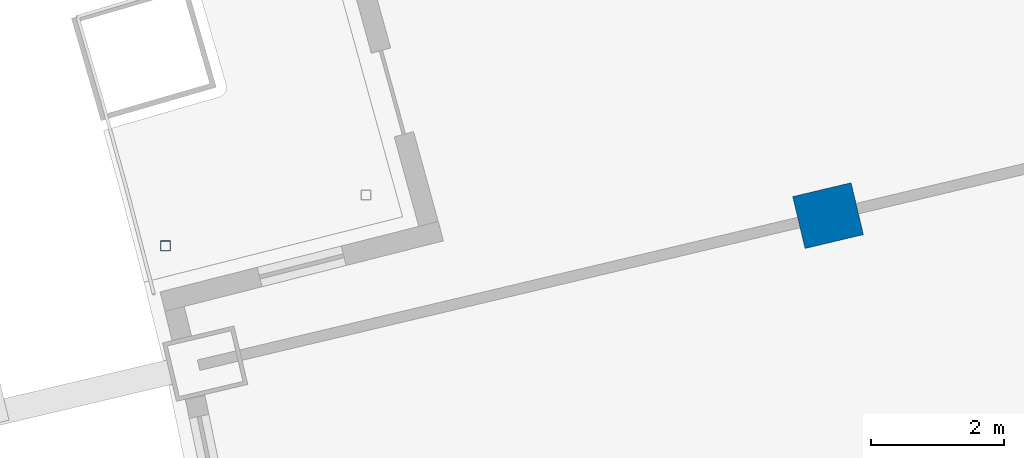
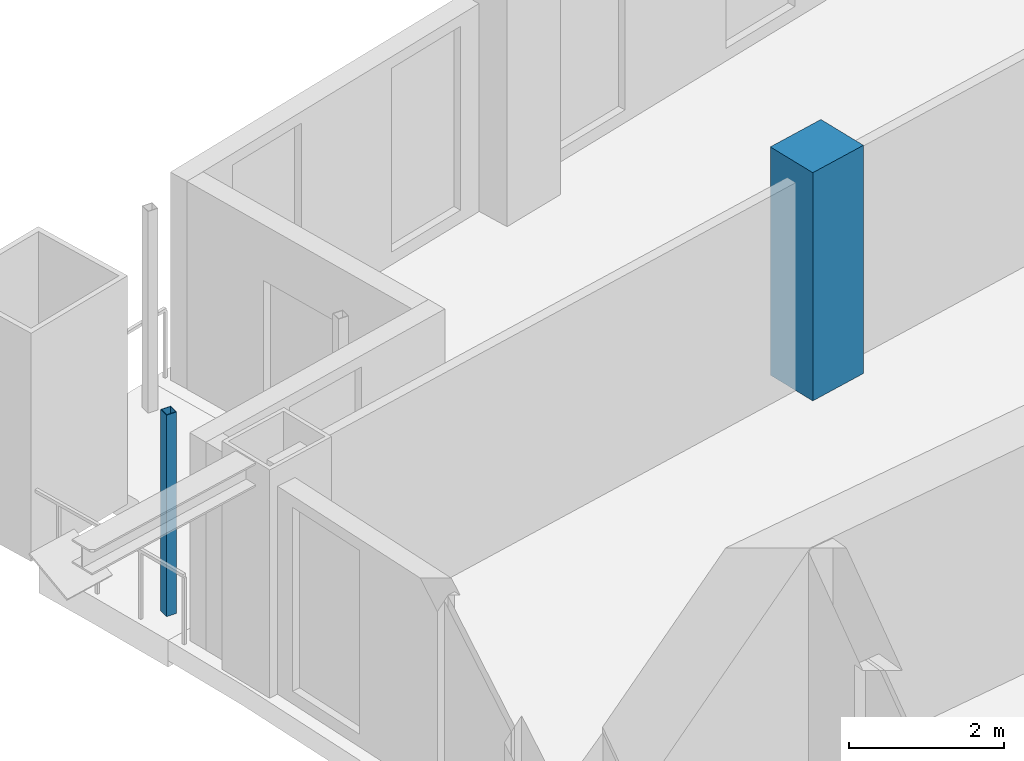
# One storey, part 5 of 20: 2 columns.
"""IFC4 building model written with IfcOpenShell, lengths in metres."""

from ifc_helpers import new_model, si_unit, direction, frame, origin, origin_2d, place, context, subcontext, project, spatial, rectangle, hollow_rectangle, extrude, material, material_profile, profile_set, type_object, element, save


model = new_model("IFC4")

# Units and contexts
model_context = context("Model", 3, precision=1e-05, world=origin(), true_north=direction((0.0, 1.0)))
body_context = subcontext(model_context, "Body", "Model", "MODEL_VIEW")
ifc_project = project(units=[si_unit("LENGTHUNIT", "METRE"), si_unit("AREAUNIT", "SQUARE_METRE"), si_unit("VOLUMEUNIT", "CUBIC_METRE"), si_unit("PLANEANGLEUNIT", "RADIAN"), si_unit("MASSUNIT", "GRAM", prefix="KILO")], contexts=[model_context])

# Site, building, storey
site_placement = place(None, origin())
site = spatial("IfcSite", under=ifc_project, at=site_placement, CompositionType="ELEMENT")
building_placement = place(site_placement, origin())
building = spatial("IfcBuilding", under=site, at=building_placement, Name="Alderwake Tower", CompositionType="ELEMENT")
storey_placement = place(building_placement, frame((0.0, 0.0, 167.60009765625)))
storey = spatial("IfcBuildingStorey", under=building, at=storey_placement, Name="L41", CompositionType="ELEMENT", Elevation=167.60009765625)

# Columns
ifc_material_1 = material(Name="Concrete C70/85", Category="concrete")
ifc_material_profile_1 = material_profile(ifc_material_1, rectangle(XDim=0.800048828125, YDim=0.89990234375, at=origin_2d()), Name="RC 900X800")
ifc_profile_set_1 = profile_set([ifc_material_profile_1], Name="Concrete C70/85")
column_type_1 = type_object("IfcColumnType", Name="Interior column Z3", PredefinedType="COLUMN", material=ifc_profile_set_1)
column_1_placement = place(storey_placement, frame((23.322021484375, 85.555908203125, 0.0), z_axis=(0.0, 0.0, 1.0), x_axis=(-0.231221547198, 0.972901123502, 0.0)))
element("IfcColumn", 1, at=column_1_placement, inside=storey, type_object=column_type_1, Name="Column R11-C1", PredefinedType="COLUMN", context=body_context, shape_type="SweptSolid", body=[
    extrude(rectangle(XDim=0.800048828125, YDim=0.89990234375, at=origin_2d()), origin(), (0.0, 0.0, 1.0), 3.599853515625),
])
ifc_material_2 = material(Name="Steel ASTM A500 Grade C", Category="steel")
ifc_material_profile_2 = material_profile(ifc_material_2, hollow_rectangle(XDim=0.15234375, YDim=0.15234375, WallThickness=0.0087890625, at=origin_2d()), Name="HSS6X6X3/8")
ifc_profile_set_2 = profile_set([ifc_material_profile_2], Name="Steel ASTM A500 Grade C")
column_type_2 = type_object("IfcColumnType", Name="Light post HSS6X6X3/8", PredefinedType="COLUMN", material=ifc_profile_set_2)
column_2_placement = place(storey_placement, frame((13.3896484375, 85.103515625, 0.0), z_axis=(0.0, 0.0, 1.0), x_axis=(1.0, 0.0, 0.0)))
element("IfcColumn", 2, at=column_2_placement, inside=storey, type_object=column_type_2, Name="Terrace post RN1", PredefinedType="COLUMN", context=body_context, shape_type="SweptSolid", body=[
    extrude(hollow_rectangle(XDim=0.15234375, YDim=0.15234375, WallThickness=0.0087890625, at=origin_2d()), origin(), (0.0, 0.0, 1.0), 3.179931640625),
])

save(model, "model.ifc")
